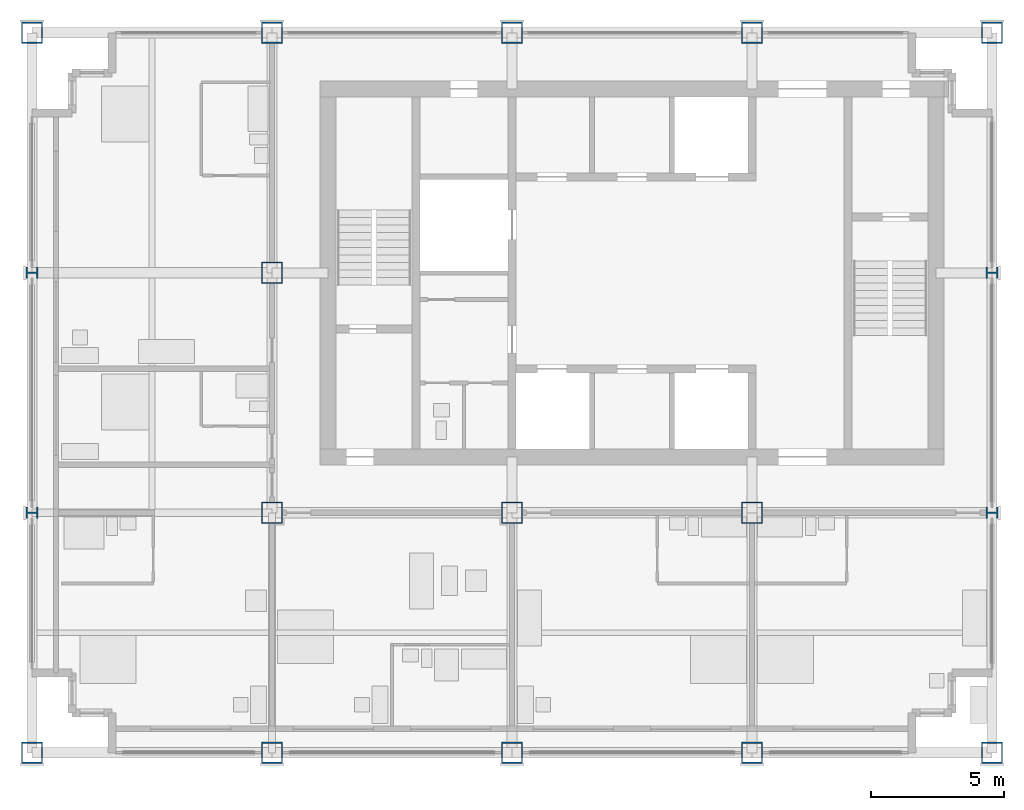
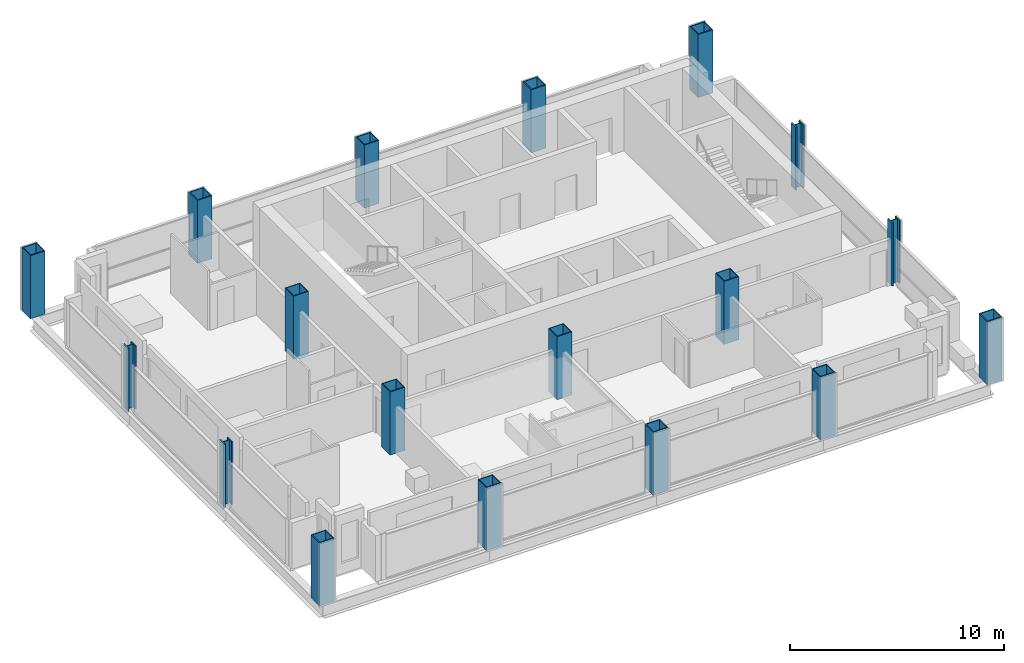
# One storey, part 1 of 11: 18 columns.
"""IFC4 building model written with IfcOpenShell, lengths in metres."""

from ifc_helpers import new_model, si_unit, direction, frame, origin, origin_2d, place, context, subcontext, project, spatial, hollow_rectangle, i_section, extrude, material, material_profile, profile_set, type_object, element, save


model = new_model("IFC4")

# Units and contexts
model_context = context("Model", 3, precision=1e-05, world=origin(), true_north=direction((0.0, 1.0)))
body_context = subcontext(model_context, "Body", "Model", "MODEL_VIEW")
ifc_project = project(units=[si_unit("LENGTHUNIT", "METRE"), si_unit("AREAUNIT", "SQUARE_METRE"), si_unit("VOLUMEUNIT", "CUBIC_METRE"), si_unit("PLANEANGLEUNIT", "RADIAN"), si_unit("MASSUNIT", "GRAM", prefix="KILO")], contexts=[model_context])

# Site, building, storey
site_placement = place(None, origin())
site = spatial("IfcSite", under=ifc_project, at=site_placement, CompositionType="ELEMENT")
building_placement = place(site_placement, origin())
building = spatial("IfcBuilding", under=site, at=building_placement, Name="Loomwork Tower", CompositionType="ELEMENT")
storey_placement = place(building_placement, frame((0.0, 0.0, 244.60009765625)))
storey = spatial("IfcBuildingStorey", under=building, at=storey_placement, Name="L67", CompositionType="ELEMENT", Elevation=244.60009765625)

# Columns
ifc_material_1 = material(Name="Steel ASTM A572 Grade 50 plate", Category="steel")
ifc_material_profile_1 = material_profile(ifc_material_1, hollow_rectangle(XDim=0.800048828125, YDim=0.800048828125, WallThickness=0.050048828125, at=origin_2d()), Name="BOX800x50")
ifc_profile_set_1 = profile_set([ifc_material_profile_1], Name="Steel ASTM A572 Grade 50 plate")
column_type_1 = type_object("IfcColumnType", Name="EXOSKELETON PIER BOX800x50", PredefinedType="COLUMN", material=ifc_profile_set_1)
for number, where, z_axis, x_axis, name in (
    (1, (0.0, 0.0, 0.0), (0.0, 0.0, 1.0), (1.0, 0.0, 0.0), "Exoskeleton Pier D/2 L67"),
    (2, (0.0, 27.0, 0.0), (0.0, 0.0, 1.0), (0.0, 1.0, 0.0), "Exoskeleton Pier G/2 L67"),
    (3, (9.0, 0.0, 0.0), (0.0, 0.0, 1.0), (1.0, 0.0, 0.0), "Exoskeleton Pier D/3 L67"),
    (4, (9.0, 27.0, 0.0), (0.0, 0.0, 1.0), (1.0, 0.0, 0.0), "Exoskeleton Pier G/3 L67"),
    (5, (18.0, 0.0, 0.0), (0.0, 0.0, 1.0), (1.0, 0.0, 0.0), "Exoskeleton Pier D/4 L67"),
    (6, (18.0, 27.0, 0.0), (0.0, 0.0, 1.0), (1.0, 0.0, 0.0), "Exoskeleton Pier G/4 L67"),
    (7, (27.0, 0.0, 0.0), (0.0, 0.0, 1.0), (1.0, 0.0, 0.0), "Exoskeleton Pier D/5 L67"),
    (8, (27.0, 27.0, 0.0), (0.0, 0.0, 1.0), (1.0, 0.0, 0.0), "Exoskeleton Pier G/5 L67"),
    (9, (36.0, 0.0, 0.0), (0.0, 0.0, 1.0), (1.0, 0.0, 0.0), "Exoskeleton Pier D/6 L67"),
    (10, (36.0, 27.0, 0.0), (0.0, 0.0, 1.0), (1.0, 0.0, 0.0), "Exoskeleton Pier G/6 L67"),
):
    element("IfcColumn", number, at=place(storey_placement, frame(where, z_axis=z_axis, x_axis=x_axis)), inside=storey, type_object=column_type_1, Name=name, PredefinedType="COLUMN", context=body_context, shape_type="SweptSolid", body=[
        extrude(hollow_rectangle(XDim=0.800048828125, YDim=0.800048828125, WallThickness=0.050048828125, at=origin_2d()), origin(), (0.0, 0.0, 1.0), 3.599853515625),
    ])
ifc_material_2 = material(Name="Steel ASTM A992", Category="steel")
ifc_material_profile_2 = material_profile(ifc_material_2, i_section(OverallWidth=0.421630859375, OverallDepth=0.46484375, WebThickness=0.044921875, FlangeThickness=0.072509765625, at=origin_2d()), Name="W14x398")
ifc_profile_set_2 = profile_set([ifc_material_profile_2], Name="Steel ASTM A992")
column_type_2 = type_object("IfcColumnType", Name="EXOSKELETON PIER W14x398", PredefinedType="COLUMN", material=ifc_profile_set_2)
for number, where, z_axis, x_axis, name in (
    (11, (0.0, 9.0, 0.0), (0.0, 0.0, 1.0), (0.0, 1.0, 0.0), "Exoskeleton Pier E/2 L67"),
    (12, (0.0, 18.0, 0.0), (0.0, 0.0, 1.0), (0.0, 1.0, 0.0), "Exoskeleton Pier F/2 L67"),
    (13, (36.0, 9.0, 0.0), (0.0, 0.0, 1.0), (0.0, 1.0, 0.0), "Exoskeleton Pier E/6 L67"),
    (14, (36.0, 18.0, 0.0), (0.0, 0.0, 1.0), (0.0, 1.0, 0.0), "Exoskeleton Pier F/6 L67"),
):
    element("IfcColumn", number, at=place(storey_placement, frame(where, z_axis=z_axis, x_axis=x_axis)), inside=storey, type_object=column_type_2, Name=name, PredefinedType="COLUMN", context=body_context, shape_type="SweptSolid", body=[
        extrude(i_section(OverallWidth=0.421630859375, OverallDepth=0.46484375, WebThickness=0.044921875, FlangeThickness=0.072509765625, at=origin_2d()), origin(), (0.0, 0.0, 1.0), 3.599853515625),
    ])
ifc_material_3 = material(Name="Steel ASTM A572 Grade 50 plate", Category="steel")
ifc_material_profile_3 = material_profile(ifc_material_3, hollow_rectangle(XDim=0.800048828125, YDim=0.800048828125, WallThickness=0.0400390625, at=origin_2d()), Name="BOX800x40")
ifc_profile_set_3 = profile_set([ifc_material_profile_3], Name="Steel ASTM A572 Grade 50 plate")
column_type_3 = type_object("IfcColumnType", Name="TOWER COLUMN BOX800x40", PredefinedType="COLUMN", material=ifc_profile_set_3)
for number, where, z_axis, x_axis, name in (
    (15, (9.0, 9.0, 0.0), (0.0, 0.0, 1.0), (1.0, 0.0, 0.0), "Tower Column E/3 L67"),
    (16, (9.0, 18.0, 0.0), (0.0, 0.0, 1.0), (1.0, 0.0, 0.0), "Tower Column F/3 L67"),
    (17, (18.0, 9.0, 0.0), (0.0, 0.0, 1.0), (1.0, 0.0, 0.0), "Tower Column E/4 L67"),
    (18, (27.0, 9.0, 0.0), (0.0, 0.0, 1.0), (1.0, 0.0, 0.0), "Tower Column E/5 L67"),
):
    element("IfcColumn", number, at=place(storey_placement, frame(where, z_axis=z_axis, x_axis=x_axis)), inside=storey, type_object=column_type_3, Name=name, PredefinedType="COLUMN", context=body_context, shape_type="SweptSolid", body=[
        extrude(hollow_rectangle(XDim=0.800048828125, YDim=0.800048828125, WallThickness=0.0400390625, at=origin_2d()), origin(), (0.0, 0.0, 1.0), 3.599853515625),
    ])

save(model, "model.ifc")
